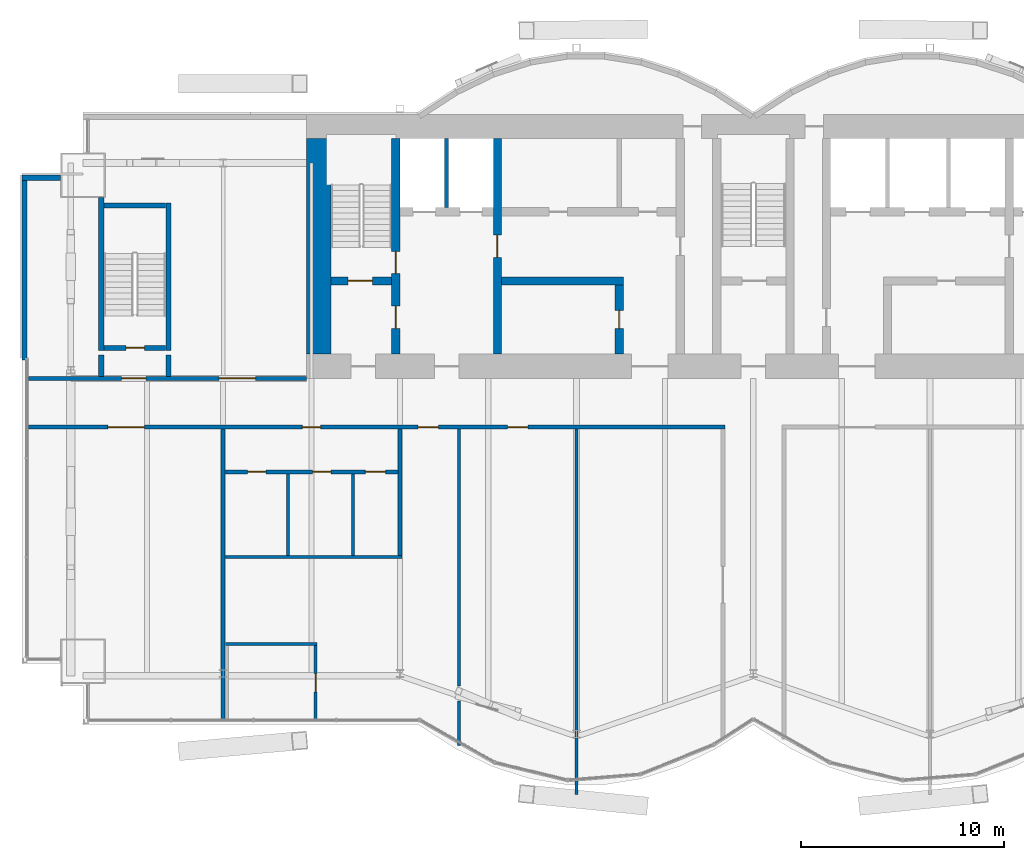
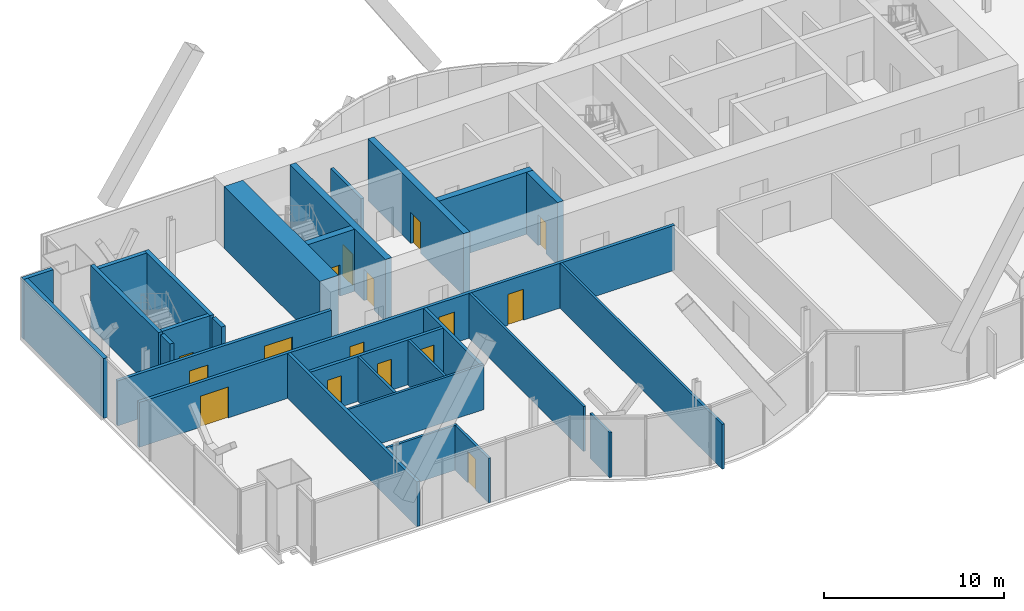
# One storey, part 14 of 20: 28 walls, 16 doors, 16 openings.
"""IFC4 building model written with IfcOpenShell, lengths in metres."""

from ifc_helpers import new_model, si_unit, direction, frame, frame_2d, origin, place, context, subcontext, project, spatial, rectangle, extrude, material, layer, layer_set, layer_usage, type_object, element, fill, save


model = new_model("IFC4")

# Units and contexts
model_context = context("Model", 3, precision=1e-05, world=origin(), true_north=direction((0.0, 1.0)))
body_context = subcontext(model_context, "Body", "Model", "MODEL_VIEW")
ifc_project = project(units=[si_unit("LENGTHUNIT", "METRE"), si_unit("AREAUNIT", "SQUARE_METRE"), si_unit("VOLUMEUNIT", "CUBIC_METRE"), si_unit("PLANEANGLEUNIT", "RADIAN"), si_unit("MASSUNIT", "GRAM", prefix="KILO")], contexts=[model_context])

# Site, building, storey
site_placement = place(None, origin())
site = spatial("IfcSite", under=ifc_project, at=site_placement, CompositionType="ELEMENT")
building_placement = place(site_placement, origin())
building = spatial("IfcBuilding", under=site, at=building_placement, Name="Bicima Exchange Tower", CompositionType="ELEMENT")
storey_placement = place(building_placement, frame((0.0, 0.0, 245.60009765625)))
storey = spatial("IfcBuildingStorey", under=building, at=storey_placement, Name="L55", CompositionType="ELEMENT", Elevation=245.60009765625)

# Wall
ifc_material_1 = material(Name="Gypsum board partition")
ifc_layer_1 = layer(ifc_material_1, 0.199951171875)
ifc_layer_set_1 = layer_set([ifc_layer_1], Name="Gypsum board partition")
wall_type_1 = type_object("IfcWallType", Name="Fire-rated gypsum partition 200 EI120", PredefinedType="PARTITIONING", material=ifc_layer_set_1)
wall_1_placement = place(storey_placement, frame((-15.10009765625, -4.60009765625, 0.0), z_axis=(0.0, 0.0, 1.0), x_axis=(0.0, 1.0, 0.0)))
element("IfcWall", 1, at=wall_1_placement, inside=storey, type_object=wall_type_1, Name="partition wall 9", PredefinedType="PARTITIONING", context=body_context, shape_type="SweptSolid", body=[
    extrude(rectangle(XDim=3.400146484375, YDim=0.199951171875, at=frame_2d((1.7001953125, 0.0))), origin(), (0.0, 0.0, 1.0), 3.039306640625),
])

# Wall, openings, doors
ifc_layer_2 = layer(ifc_material_1, 0.199951171875)
ifc_layer_set_2 = layer_set([ifc_layer_2], Name="Gypsum board partition")
wall_type_2 = type_object("IfcWallType", Name="Fire-rated gypsum partition 200 EI60", PredefinedType="PARTITIONING", material=ifc_layer_set_2)
wall_2_placement = place(storey_placement, frame((-26.0, -17.60009765625, 0.0), z_axis=(0.0, 0.0, 1.0), x_axis=(1.0, 0.0, 0.0)))
wall_2 = element("IfcWall", 2, at=wall_2_placement, inside=storey, type_object=wall_type_2, Name="partition wall 3", PredefinedType="PARTITIONING", context=body_context, shape_type="SweptSolid", body=[
    extrude(rectangle(XDim=8.5, YDim=0.199951171875, at=frame_2d((4.25, 0.0))), origin(), (0.0, 0.0, 1.0), 3.039306640625),
])
opening_1_placement = place(wall_2_placement, frame((1.10009765625, 0.0, 0.0)))
opening_1 = element("IfcOpeningElement", 3, at=opening_1_placement, cuts=wall_2, Name="Opening L55-009", PredefinedType="OPENING", context=body_context, shape_type="SweptSolid", body=[
    extrude(rectangle(XDim=0.89990234375, YDim=2.10009765625, at=frame_2d((0.449951171875, 1.050048828125))), frame((0.0, 0.11181640625, 0.0), z_axis=(0.0, -1.0, 0.0), x_axis=(1.0, 0.0, 0.0)), (0.0, 0.0, 1.0), 0.223876953125),
])
opening_2_placement = place(wall_2_placement, frame((4.300048828125, 0.0, 0.0)))
opening_2 = element("IfcOpeningElement", 4, at=opening_2_placement, cuts=wall_2, Name="Opening L55-010", PredefinedType="OPENING", context=body_context, shape_type="SweptSolid", body=[
    extrude(rectangle(XDim=0.89990234375, YDim=2.10009765625, at=frame_2d((0.449951171875, 1.050048828125))), frame((0.0, 0.11181640625, 0.0), z_axis=(0.0, -1.0, 0.0), x_axis=(1.0, 0.0, 0.0)), (0.0, 0.0, 1.0), 0.223876953125),
])
opening_3_placement = place(wall_2_placement, frame((6.89990234375, 0.0, 0.0)))
opening_3 = element("IfcOpeningElement", 5, at=opening_3_placement, cuts=wall_2, Name="Opening L55-011", PredefinedType="OPENING", context=body_context, shape_type="SweptSolid", body=[
    extrude(rectangle(XDim=1.0, YDim=2.10009765625, at=frame_2d((0.5, 1.050048828125))), frame((0.0, 0.11181640625, 0.0), z_axis=(0.0, -1.0, 0.0), x_axis=(1.0, 0.0, 0.0)), (0.0, 0.0, 1.0), 0.223876953125),
])
ifc_material_2 = material(Name="Steel fire door leaf", Category="steel")
door_type_1 = type_object("IfcDoorType", Name="Door 1000 swing FD30S", OperationType="SINGLE_SWING_LEFT", PredefinedType="DOOR", material=ifc_material_2)
door_1_placement = place(opening_3_placement, frame((1.0, 0.0, 0.0), z_axis=(0.0, 0.0, 1.0), x_axis=(-1.0, 0.0, 0.0)))
door_1 = element("IfcDoor", 6, at=door_1_placement, inside=storey, type_object=door_type_1, Name="Door", OperationType="SINGLE_SWING_RIGHT", OverallHeight=2.10009765625, OverallWidth=1.0, PredefinedType="DOOR", context=body_context, shape_type="SweptSolid", body=[
    extrude(rectangle(XDim=1.0, YDim=2.10009765625, at=frame_2d((0.5, 1.050048828125))), frame((0.0, 0.02490234375, 0.0), z_axis=(0.0, -1.0, 0.0), x_axis=(1.0, 0.0, 0.0)), (0.0, 0.0, 1.0), 0.050048828125),
])
fill(opening_3, door_1)
door_type_2 = type_object("IfcDoorType", Name="Door 900 swing FD30S", OperationType="SINGLE_SWING_LEFT", PredefinedType="DOOR", material=ifc_material_2)
door_2_placement = place(opening_1_placement, frame((0.89990234375, 0.0, 0.0), z_axis=(0.0, 0.0, 1.0), x_axis=(-1.0, 0.0, 0.0)))
door_2 = element("IfcDoor", 7, at=door_2_placement, inside=storey, type_object=door_type_2, Name="Door", OperationType="SINGLE_SWING_RIGHT", OverallHeight=2.10009765625, OverallWidth=0.89990234375, PredefinedType="DOOR", context=body_context, shape_type="SweptSolid", body=[
    extrude(rectangle(XDim=0.89990234375, YDim=2.10009765625, at=frame_2d((0.449951171875, 1.050048828125))), frame((0.0, 0.02490234375, 0.0), z_axis=(0.0, -1.0, 0.0), x_axis=(1.0, 0.0, 0.0)), (0.0, 0.0, 1.0), 0.050048828125),
])
fill(opening_1, door_2)
door_3_placement = place(opening_2_placement, frame((0.89990234375, 0.0, 0.0), z_axis=(0.0, 0.0, 1.0), x_axis=(-1.0, 0.0, 0.0)))
door_3 = element("IfcDoor", 8, at=door_3_placement, inside=storey, type_object=door_type_2, Name="Door", OperationType="SINGLE_SWING_LEFT", OverallHeight=2.10009765625, OverallWidth=0.89990234375, PredefinedType="DOOR", context=body_context, shape_type="SweptSolid", body=[
    extrude(rectangle(XDim=0.89990234375, YDim=2.10009765625, at=frame_2d((0.449951171875, 1.050048828125))), frame((0.0, 0.02490234375, 0.0), z_axis=(0.0, -1.0, 0.0), x_axis=(1.0, 0.0, 0.0)), (0.0, 0.0, 1.0), 0.050048828125),
])
fill(opening_2, door_3)

wall_3_placement = place(storey_placement, frame((-35.679931640625, -15.39990234375, 0.0), z_axis=(0.0, 0.0, 1.0), x_axis=(1.0, 0.0, 0.0)))
wall_3 = element("IfcWall", 9, at=wall_3_placement, inside=storey, type_object=wall_type_2, Name="partition wall 4", PredefinedType="PARTITIONING", context=body_context, shape_type="SweptSolid", body=[
    extrude(rectangle(XDim=34.280029296875, YDim=0.199951171875, at=frame_2d((17.14013671875, 0.0))), origin(), (0.0, 0.0, 1.0), 3.039306640625),
])
opening_4_placement = place(wall_3_placement, frame((3.89990234375, 0.0, 0.0)))
opening_4 = element("IfcOpeningElement", 10, at=opening_4_placement, cuts=wall_3, Name="Opening L55-007", PredefinedType="OPENING", context=body_context, shape_type="SweptSolid", body=[
    extrude(rectangle(XDim=1.800048828125, YDim=2.10009765625, at=frame_2d((0.89990234375, 1.050048828125))), frame((0.0, 0.11181640625, 0.0), z_axis=(0.0, -1.0, 0.0), x_axis=(1.0, 0.0, 0.0)), (0.0, 0.0, 1.0), 0.223876953125),
])
opening_5_placement = place(wall_3_placement, frame((13.47998046875, 0.0, 0.0)))
opening_5 = element("IfcOpeningElement", 11, at=opening_5_placement, cuts=wall_3, Name="Opening L55-008", PredefinedType="OPENING", context=body_context, shape_type="SweptSolid", body=[
    extrude(rectangle(XDim=0.89990234375, YDim=2.10009765625, at=frame_2d((0.449951171875, 1.050048828125))), frame((0.0, 0.11181640625, 0.0), z_axis=(0.0, -1.0, 0.0), x_axis=(1.0, 0.0, 0.0)), (0.0, 0.0, 1.0), 0.223876953125),
])
opening_6_placement = place(wall_3_placement, frame((19.179931640625, 0.0, 0.0)))
opening_6 = element("IfcOpeningElement", 12, at=opening_6_placement, cuts=wall_3, Name="Opening L55-012", PredefinedType="OPENING", context=body_context, shape_type="SweptSolid", body=[
    extrude(rectangle(XDim=1.0, YDim=2.10009765625, at=frame_2d((0.5, 1.050048828125))), frame((0.0, 0.11181640625, 0.0), z_axis=(0.0, -1.0, 0.0), x_axis=(1.0, 0.0, 0.0)), (0.0, 0.0, 1.0), 0.223876953125),
])
opening_7_placement = place(wall_3_placement, frame((23.580078125, 0.0, 0.0)))
opening_7 = element("IfcOpeningElement", 13, at=opening_7_placement, cuts=wall_3, Name="Opening L55-013", PredefinedType="OPENING", context=body_context, shape_type="SweptSolid", body=[
    extrude(rectangle(XDim=1.0, YDim=2.10009765625, at=frame_2d((0.5, 1.050048828125))), frame((0.0, 0.11181640625, 0.0), z_axis=(0.0, -1.0, 0.0), x_axis=(1.0, 0.0, 0.0)), (0.0, 0.0, 1.0), 0.223876953125),
])
door_4_placement = place(opening_6_placement, frame((1.0, 0.0, 0.0), z_axis=(0.0, 0.0, 1.0), x_axis=(-1.0, 0.0, 0.0)))
door_4 = element("IfcDoor", 14, at=door_4_placement, inside=storey, type_object=door_type_1, Name="Door", OperationType="SINGLE_SWING_RIGHT", OverallHeight=2.10009765625, OverallWidth=1.0, PredefinedType="DOOR", context=body_context, shape_type="SweptSolid", body=[
    extrude(rectangle(XDim=1.0, YDim=2.10009765625, at=frame_2d((0.5, 1.050048828125))), frame((0.0, 0.02490234375, 0.0), z_axis=(0.0, -1.0, 0.0), x_axis=(1.0, 0.0, 0.0)), (0.0, 0.0, 1.0), 0.050048828125),
])
fill(opening_6, door_4)
door_5_placement = place(opening_7_placement, frame((1.0, 0.0, 0.0), z_axis=(0.0, 0.0, 1.0), x_axis=(-1.0, 0.0, 0.0)))
door_5 = element("IfcDoor", 15, at=door_5_placement, inside=storey, type_object=door_type_1, Name="Door", OperationType="SINGLE_SWING_LEFT", OverallHeight=2.10009765625, OverallWidth=1.0, PredefinedType="DOOR", context=body_context, shape_type="SweptSolid", body=[
    extrude(rectangle(XDim=1.0, YDim=2.10009765625, at=frame_2d((0.5, 1.050048828125))), frame((0.0, 0.02490234375, 0.0), z_axis=(0.0, -1.0, 0.0), x_axis=(1.0, 0.0, 0.0)), (0.0, 0.0, 1.0), 0.050048828125),
])
fill(opening_7, door_5)
door_type_3 = type_object("IfcDoorType", Name="Door 1800 double swing FD30S", OperationType="DOUBLE_DOOR_SINGLE_SWING", PredefinedType="DOOR", material=ifc_material_2)
door_6_placement = place(opening_4_placement, origin())
door_6 = element("IfcDoor", 16, at=door_6_placement, inside=storey, type_object=door_type_3, Name="Door", OperationType="SINGLE_SWING_LEFT", OverallHeight=2.10009765625, OverallWidth=1.800048828125, PredefinedType="DOOR", context=body_context, shape_type="SweptSolid", body=[
    extrude(rectangle(XDim=1.800048828125, YDim=2.10009765625, at=frame_2d((0.89990234375, 1.050048828125))), frame((0.0, 0.02490234375, 0.0), z_axis=(0.0, -1.0, 0.0), x_axis=(1.0, 0.0, 0.0)), (0.0, 0.0, 1.0), 0.050048828125),
])
fill(opening_4, door_6)
door_7_placement = place(opening_5_placement, frame((0.89990234375, 0.0, 0.0), z_axis=(0.0, 0.0, 1.0), x_axis=(-1.0, 0.0, 0.0)))
door_7 = element("IfcDoor", 17, at=door_7_placement, inside=storey, type_object=door_type_2, Name="Door", OperationType="SINGLE_SWING_RIGHT", OverallHeight=2.10009765625, OverallWidth=0.89990234375, PredefinedType="DOOR", context=body_context, shape_type="SweptSolid", body=[
    extrude(rectangle(XDim=0.89990234375, YDim=2.10009765625, at=frame_2d((0.449951171875, 1.050048828125))), frame((0.0, 0.02490234375, 0.0), z_axis=(0.0, -1.0, 0.0), x_axis=(1.0, 0.0, 0.0)), (0.0, 0.0, 1.0), 0.050048828125),
])
fill(opening_5, door_7)

wall_4_placement = place(storey_placement, frame((-35.679931640625, -13.0, 0.0), z_axis=(0.0, 0.0, 1.0), x_axis=(1.0, 0.0, 0.0)))
wall_4 = element("IfcWall", 18, at=wall_4_placement, inside=storey, type_object=wall_type_2, Name="partition wall 6", PredefinedType="PARTITIONING", context=body_context, shape_type="SweptSolid", body=[
    extrude(rectangle(XDim=13.679931640625, YDim=0.199951171875, at=frame_2d((6.83984375, 0.0))), origin(), (0.0, 0.0, 1.0), 3.039306640625),
])
opening_8_placement = place(wall_4_placement, frame((4.580078125, 0.0, 0.0)))
opening_8 = element("IfcOpeningElement", 19, at=opening_8_placement, cuts=wall_4, Name="Opening L55-001", PredefinedType="OPENING", context=body_context, shape_type="SweptSolid", body=[
    extrude(rectangle(XDim=1.199951171875, YDim=2.10009765625, at=frame_2d((0.60009765625, 1.050048828125))), frame((0.0, 0.11181640625, 0.0), z_axis=(0.0, -1.0, 0.0), x_axis=(1.0, 0.0, 0.0)), (0.0, 0.0, 1.0), 0.223876953125),
])
opening_9_placement = place(wall_4_placement, frame((9.3798828125, 0.0, 0.0)))
opening_9 = element("IfcOpeningElement", 20, at=opening_9_placement, cuts=wall_4, Name="Opening L55-005", PredefinedType="OPENING", context=body_context, shape_type="SweptSolid", body=[
    extrude(rectangle(XDim=1.800048828125, YDim=2.10009765625, at=frame_2d((0.89990234375, 1.050048828125))), frame((0.0, 0.11181640625, 0.0), z_axis=(0.0, -1.0, 0.0), x_axis=(1.0, 0.0, 0.0)), (0.0, 0.0, 1.0), 0.223876953125),
])
door_type_4 = type_object("IfcDoorType", Name="Door 1200 swing FD30S", OperationType="SINGLE_SWING_LEFT", PredefinedType="DOOR", material=ifc_material_2)
door_8_placement = place(opening_8_placement, origin())
door_8 = element("IfcDoor", 21, at=door_8_placement, inside=storey, type_object=door_type_4, Name="Door", OperationType="SINGLE_SWING_LEFT", OverallHeight=2.10009765625, OverallWidth=1.199951171875, PredefinedType="DOOR", context=body_context, shape_type="SweptSolid", body=[
    extrude(rectangle(XDim=1.199951171875, YDim=2.10009765625, at=frame_2d((0.60009765625, 1.050048828125))), frame((0.0, 0.02490234375, 0.0), z_axis=(0.0, -1.0, 0.0), x_axis=(1.0, 0.0, 0.0)), (0.0, 0.0, 1.0), 0.050048828125),
])
fill(opening_8, door_8)
door_9_placement = place(opening_9_placement, origin())
door_9 = element("IfcDoor", 22, at=door_9_placement, inside=storey, type_object=door_type_3, Name="Door", OperationType="SINGLE_SWING_LEFT", OverallHeight=2.10009765625, OverallWidth=1.800048828125, PredefinedType="DOOR", context=body_context, shape_type="SweptSolid", body=[
    extrude(rectangle(XDim=1.800048828125, YDim=2.10009765625, at=frame_2d((0.89990234375, 1.050048828125))), frame((0.0, 0.02490234375, 0.0), z_axis=(0.0, -1.0, 0.0), x_axis=(1.0, 0.0, 0.0)), (0.0, 0.0, 1.0), 0.050048828125),
])
fill(opening_9, door_9)

# Walls
wall_5_placement = place(storey_placement, frame((-26.10009765625, -29.830078125, 0.0), z_axis=(0.0, 0.0, 1.0), x_axis=(0.0, 1.0, 0.0)))
element("IfcWall", 23, at=wall_5_placement, inside=storey, type_object=wall_type_2, Name="partition wall 14", PredefinedType="PARTITIONING", context=body_context, shape_type="SweptSolid", body=[
    extrude(rectangle(XDim=14.330078125, YDim=0.199951171875, at=frame_2d((7.1650390625, 0.0))), origin(), (0.0, 0.0, 1.0), 3.039306640625),
])
wall_6_placement = place(storey_placement, frame((-17.39990234375, -21.72509765625, 0.0), z_axis=(0.0, 0.0, 1.0), x_axis=(0.0, 1.0, 0.0)))
element("IfcWall", 24, at=wall_6_placement, inside=storey, type_object=wall_type_2, Name="partition wall 19", PredefinedType="PARTITIONING", context=body_context, shape_type="SweptSolid", body=[
    extrude(rectangle(XDim=6.22509765625, YDim=0.199951171875, at=frame_2d((3.112548828125, 0.0))), origin(), (0.0, 0.0, 1.0), 3.039306640625),
])
ifc_layer_3 = layer(ifc_material_1, 0.14990234375)
ifc_layer_set_3 = layer_set([ifc_layer_3], Name="Gypsum board partition")
wall_type_3 = type_object("IfcWallType", Name="Gypsum partition 150", PredefinedType="PARTITIONING", material=ifc_layer_set_3)
wall_7_placement = place(storey_placement, frame((-25.97509765625, -26.080078125, 0.0), z_axis=(0.0, 0.0, 1.0), x_axis=(1.0, 0.0, 0.0)))
element("IfcWall", 25, at=wall_7_placement, inside=storey, type_object=wall_type_3, Name="partition wall 1", PredefinedType="PARTITIONING", context=body_context, shape_type="SweptSolid", body=[
    extrude(rectangle(XDim=4.5, YDim=0.14990234375, at=frame_2d((2.25, 0.0))), origin(), (0.0, 0.0, 1.0), 3.039306640625),
])
wall_8_placement = place(storey_placement, frame((-26.0, -21.800048828125, 0.0), z_axis=(0.0, 0.0, 1.0), x_axis=(1.0, 0.0, 0.0)))
element("IfcWall", 26, at=wall_8_placement, inside=storey, type_object=wall_type_3, Name="partition wall 2", PredefinedType="PARTITIONING", context=body_context, shape_type="SweptSolid", body=[
    extrude(rectangle(XDim=8.699951171875, YDim=0.14990234375, at=frame_2d((4.35009765625, 0.0))), origin(), (0.0, 0.0, 1.0), 3.039306640625),
])
wall_9_placement = place(storey_placement, frame((-22.89990234375, -21.72509765625, 0.0), z_axis=(0.0, 0.0, 1.0), x_axis=(0.0, 1.0, 0.0)))
element("IfcWall", 27, at=wall_9_placement, inside=storey, type_object=wall_type_3, Name="partition wall 16", PredefinedType="PARTITIONING", context=body_context, shape_type="SweptSolid", body=[
    extrude(rectangle(XDim=4.025146484375, YDim=0.14990234375, at=frame_2d((2.0126953125, 0.0))), origin(), (0.0, 0.0, 1.0), 3.039306640625),
])

# Wall, opening, door
wall_10_placement = place(storey_placement, frame((-21.550048828125, -29.830078125, 0.0), z_axis=(0.0, 0.0, 1.0), x_axis=(0.0, 1.0, 0.0)))
wall_10 = element("IfcWall", 28, at=wall_10_placement, inside=storey, type_object=wall_type_3, Name="partition wall 17", PredefinedType="PARTITIONING", context=body_context, shape_type="SweptSolid", body=[
    extrude(rectangle(XDim=3.675048828125, YDim=0.14990234375, at=frame_2d((1.83740234375, 0.0))), origin(), (0.0, 0.0, 1.0), 3.039306640625),
])
opening_10_placement = place(wall_10_placement, frame((1.39990234375, 0.0, 0.0)))
opening_10 = element("IfcOpeningElement", 29, at=opening_10_placement, cuts=wall_10, Name="Opening L55-018", PredefinedType="OPENING", context=body_context, shape_type="SweptSolid", body=[
    extrude(rectangle(XDim=0.89990234375, YDim=2.10009765625, at=frame_2d((0.449951171875, 1.050048828125))), frame((0.0, 0.0869140625, 0.0), z_axis=(0.0, -1.0, 0.0), x_axis=(1.0, 0.0, 0.0)), (0.0, 0.0, 1.0), 0.173828125),
])
ifc_material_3 = material(Name="Timber door leaf", Category="wood")
door_type_5 = type_object("IfcDoorType", Name="Door 900 swing", OperationType="SINGLE_SWING_LEFT", PredefinedType="DOOR", material=ifc_material_3)
door_10_placement = place(opening_10_placement, origin())
door_10 = element("IfcDoor", 30, at=door_10_placement, inside=storey, type_object=door_type_5, Name="Door", OperationType="SINGLE_SWING_RIGHT", OverallHeight=2.10009765625, OverallWidth=0.89990234375, PredefinedType="DOOR", context=body_context, shape_type="SweptSolid", body=[
    extrude(rectangle(XDim=0.89990234375, YDim=2.10009765625, at=frame_2d((0.449951171875, 1.050048828125))), frame((0.0, 0.02490234375, 0.0), z_axis=(0.0, -1.0, 0.0), x_axis=(1.0, 0.0, 0.0)), (0.0, 0.0, 1.0), 0.050048828125),
])
fill(opening_10, door_10)

# Walls
wall_11_placement = place(storey_placement, frame((-19.699951171875, -21.72509765625, 0.0), z_axis=(0.0, 0.0, 1.0), x_axis=(0.0, 1.0, 0.0)))
element("IfcWall", 31, at=wall_11_placement, inside=storey, type_object=wall_type_3, Name="partition wall 18", PredefinedType="PARTITIONING", context=body_context, shape_type="SweptSolid", body=[
    extrude(rectangle(XDim=4.025146484375, YDim=0.14990234375, at=frame_2d((2.0126953125, 0.0))), origin(), (0.0, 0.0, 1.0), 3.039306640625),
])
wall_12_placement = place(storey_placement, frame((-14.5, -31.080078125, 0.0), z_axis=(0.0, 0.0, 1.0), x_axis=(0.0, 1.0, 0.0)))
element("IfcWall", 32, at=wall_12_placement, inside=storey, type_object=wall_type_3, Name="partition wall 20", PredefinedType="PARTITIONING", context=body_context, shape_type="SweptSolid", body=[
    extrude(rectangle(XDim=2.203125, YDim=0.14990234375, at=frame_2d((1.1015625, 0.0))), origin(), (0.0, 0.0, 1.0), 3.039306640625),
])
wall_13_placement = place(storey_placement, frame((-14.5, -28.151123046875, 0.0), z_axis=(0.0, 0.0, 1.0), x_axis=(0.0, 1.0, 0.0)))
element("IfcWall", 33, at=wall_13_placement, inside=storey, type_object=wall_type_3, Name="partition wall 21", PredefinedType="PARTITIONING", context=body_context, shape_type="SweptSolid", body=[
    extrude(rectangle(XDim=12.651123046875, YDim=0.14990234375, at=frame_2d((6.32568359375, 0.0))), origin(), (0.0, 0.0, 1.0), 3.039306640625),
])
wall_14_placement = place(storey_placement, frame((-8.699951171875, -33.483154296875, 0.0), z_axis=(0.0, 0.0, 1.0), x_axis=(0.0, 1.0, 0.0)))
element("IfcWall", 34, at=wall_14_placement, inside=storey, type_object=wall_type_3, Name="partition wall 22", PredefinedType="PARTITIONING", context=body_context, shape_type="SweptSolid", body=[
    extrude(rectangle(XDim=17.983154296875, YDim=0.14990234375, at=frame_2d((8.99169921875, 0.0))), origin(), (0.0, 0.0, 1.0), 3.039306640625),
])
ifc_material_4 = material(Name="Concrete C40/50", Category="concrete")
ifc_layer_4 = layer(ifc_material_4, 1.199951171875)
ifc_layer_set_4 = layer_set([ifc_layer_4], Name="Concrete C40/50")
wall_type_4 = type_object("IfcWallType", Name="RC core wall 1200 C40/50", PredefinedType="SHEAR", material=ifc_layer_set_4)
wall_15_placement = place(storey_placement, frame((-21.39990234375, -11.800048828125, 0.0), z_axis=(0.0, 0.0, 1.0), x_axis=(0.0, 1.0, 0.0)))
element("IfcWall", 35, at=wall_15_placement, inside=storey, type_object=wall_type_4, Name="Core wall west", PredefinedType="SHEAR", context=body_context, shape_type="SweptSolid", body=[
    extrude(rectangle(XDim=10.60009765625, YDim=1.199951171875, at=frame_2d((5.300048828125, 0.0))), origin(), (0.0, 0.0, 1.0), 4.199951171875),
])
ifc_material_5 = material(Name="Concrete C50/60", Category="concrete")
ifc_layer_5 = layer(ifc_material_5, 0.25)
ifc_layer_set_5 = layer_set([ifc_layer_5], Name="Concrete C50/60")
wall_type_5 = type_object("IfcWallType", Name="RC core wall 250 C50/60", PredefinedType="SHEAR", material=ifc_layer_set_5)
for number, where, z_axis, x_axis, name in (
    (36, (-32.10009765625, -12.89990234375, 0.0), (0.0, 0.0, 1.0), (0.0, 1.0, 0.0), "stair wall 12"),
    (37, (-28.800048828125, -12.89990234375, 0.0), (0.0, 0.0, 1.0), (0.0, 1.0, 0.0), "stair wall 13"),
):
    element("IfcWall", number, at=place(storey_placement, frame(where, z_axis=z_axis, x_axis=x_axis)), inside=storey, type_object=wall_type_5, Name=name, PredefinedType="SHEAR", context=body_context, shape_type="SweptSolid", body=[
        extrude(rectangle(XDim=1.0498046875, YDim=0.25, at=frame_2d((0.52490234375, 0.0))), origin(), (0.0, 0.0, 1.0), 4.199951171875),
    ])
ifc_layer_6 = layer(ifc_material_4, 0.39990234375)
ifc_layer_set_6 = layer_set([ifc_layer_6], Name="Concrete C40/50")
wall_type_6 = type_object("IfcWallType", Name="RC core wall 400 C40/50", PredefinedType="SHEAR", material=ifc_layer_set_6)
wall_16_placement = place(storey_placement, frame((-12.39990234375, -8.199951171875, 0.0), z_axis=(0.0, 0.0, 1.0), x_axis=(1.0, 0.0, 0.0)))
element("IfcWall", 38, at=wall_16_placement, inside=storey, type_object=wall_type_6, Name="shear wall 2", PredefinedType="SHEAR", context=body_context, shape_type="SweptSolid", body=[
    extrude(rectangle(XDim=6.0, YDim=0.39990234375, at=frame_2d((3.0, 0.0))), origin(), (0.0, 0.0, 1.0), 4.199951171875),
])

# Wall, opening, door
wall_17_placement = place(storey_placement, frame((-12.60009765625, -11.800048828125, 0.0), z_axis=(0.0, 0.0, 1.0), x_axis=(0.0, 1.0, 0.0)))
wall_17 = element("IfcWall", 39, at=wall_17_placement, inside=storey, type_object=wall_type_6, Name="shear wall 10", PredefinedType="SHEAR", context=body_context, shape_type="SweptSolid", body=[
    extrude(rectangle(XDim=10.60009765625, YDim=0.39990234375, at=frame_2d((5.300048828125, 0.0))), origin(), (0.0, 0.0, 1.0), 4.199951171875),
])
opening_11_placement = place(wall_17_placement, frame((4.75, 0.0, 0.0)))
opening_11 = element("IfcOpeningElement", 40, at=opening_11_placement, cuts=wall_17, Name="Opening L55-C07", PredefinedType="OPENING", context=body_context, shape_type="SweptSolid", body=[
    extrude(rectangle(XDim=1.10009765625, YDim=2.10009765625, at=frame_2d((0.550048828125, 1.050048828125))), frame((0.0, 0.2119140625, 0.0), z_axis=(0.0, -1.0, 0.0), x_axis=(1.0, 0.0, 0.0)), (0.0, 0.0, 1.0), 0.423828125),
])
door_type_6 = type_object("IfcDoorType", Name="Door 1100 swing FD60S", OperationType="SINGLE_SWING_LEFT", PredefinedType="DOOR", material=ifc_material_2)
door_11_placement = place(opening_11_placement, origin())
door_11 = element("IfcDoor", 41, at=door_11_placement, inside=storey, type_object=door_type_6, Name="Core door", OperationType="SINGLE_SWING_LEFT", OverallHeight=2.10009765625, OverallWidth=1.10009765625, PredefinedType="DOOR", context=body_context, shape_type="SweptSolid", body=[
    extrude(rectangle(XDim=1.10009765625, YDim=2.10009765625, at=frame_2d((0.550048828125, 1.050048828125))), frame((0.0, 0.02490234375, 0.0), z_axis=(0.0, -1.0, 0.0), x_axis=(1.0, 0.0, 0.0)), (0.0, 0.0, 1.0), 0.050048828125),
])
fill(opening_11, door_11)

wall_18_placement = place(storey_placement, frame((-6.60009765625, -11.800048828125, 0.0), z_axis=(0.0, 0.0, 1.0), x_axis=(0.0, 1.0, 0.0)))
wall_18 = element("IfcWall", 42, at=wall_18_placement, inside=storey, type_object=wall_type_6, Name="shear wall 11", PredefinedType="SHEAR", context=body_context, shape_type="SweptSolid", body=[
    extrude(rectangle(XDim=3.400146484375, YDim=0.39990234375, at=frame_2d((1.7001953125, 0.0))), origin(), (0.0, 0.0, 1.0), 4.199951171875),
])
opening_12_placement = place(wall_18_placement, frame((1.25, 0.0, 0.0)))
opening_12 = element("IfcOpeningElement", 43, at=opening_12_placement, cuts=wall_18, Name="Opening L55-C14", PredefinedType="OPENING", context=body_context, shape_type="SweptSolid", body=[
    extrude(rectangle(XDim=0.89990234375, YDim=2.10009765625, at=frame_2d((0.449951171875, 1.050048828125))), frame((0.0, 0.2119140625, 0.0), z_axis=(0.0, -1.0, 0.0), x_axis=(1.0, 0.0, 0.0)), (0.0, 0.0, 1.0), 0.423828125),
])
door_12_placement = place(opening_12_placement, origin())
door_12 = element("IfcDoor", 44, at=door_12_placement, inside=storey, type_object=door_type_2, Name="Core door", OperationType="SINGLE_SWING_RIGHT", OverallHeight=2.10009765625, OverallWidth=0.89990234375, PredefinedType="DOOR", context=body_context, shape_type="SweptSolid", body=[
    extrude(rectangle(XDim=0.89990234375, YDim=2.10009765625, at=frame_2d((0.449951171875, 1.050048828125))), frame((0.0, 0.02490234375, 0.0), z_axis=(0.0, -1.0, 0.0), x_axis=(1.0, 0.0, 0.0)), (0.0, 0.0, 1.0), 0.050048828125),
])
fill(opening_12, door_12)

ifc_layer_7 = layer(ifc_material_5, 0.39990234375)
ifc_layer_set_7 = layer_set([ifc_layer_7], Name="Concrete C50/60")
wall_type_7 = type_object("IfcWallType", Name="RC core wall 400 C50/60", PredefinedType="SHEAR", material=ifc_layer_set_7)
wall_19_placement = place(storey_placement, frame((-20.800048828125, -8.199951171875, 0.0), z_axis=(0.0, 0.0, 1.0), x_axis=(1.0, 0.0, 0.0)))
wall_19 = element("IfcWall", 45, at=wall_19_placement, inside=storey, type_object=wall_type_7, Name="stair wall 1", PredefinedType="SHEAR", context=body_context, shape_type="SweptSolid", body=[
    extrude(rectangle(XDim=3.0, YDim=0.39990234375, at=frame_2d((1.5, 0.0))), origin(), (0.0, 0.0, 1.0), 4.199951171875),
])
opening_13_placement = place(wall_19_placement, frame((0.85009765625, 0.0, 0.0)))
opening_13 = element("IfcOpeningElement", 46, at=opening_13_placement, cuts=wall_19, Name="Opening L55-C01", PredefinedType="OPENING", context=body_context, shape_type="SweptSolid", body=[
    extrude(rectangle(XDim=1.199951171875, YDim=2.10009765625, at=frame_2d((0.60009765625, 1.050048828125))), frame((0.0, 0.2119140625, 0.0), z_axis=(0.0, -1.0, 0.0), x_axis=(1.0, 0.0, 0.0)), (0.0, 0.0, 1.0), 0.423828125),
])
door_type_7 = type_object("IfcDoorType", Name="Door 1200 swing FD60S", OperationType="SINGLE_SWING_LEFT", PredefinedType="DOOR", material=ifc_material_2)
door_13_placement = place(opening_13_placement, origin())
door_13 = element("IfcDoor", 47, at=door_13_placement, inside=storey, type_object=door_type_7, Name="Core door", OperationType="SINGLE_SWING_LEFT", OverallHeight=2.10009765625, OverallWidth=1.199951171875, PredefinedType="DOOR", context=body_context, shape_type="SweptSolid", body=[
    extrude(rectangle(XDim=1.199951171875, YDim=2.10009765625, at=frame_2d((0.60009765625, 1.050048828125))), frame((0.0, 0.02490234375, 0.0), z_axis=(0.0, -1.0, 0.0), x_axis=(1.0, 0.0, 0.0)), (0.0, 0.0, 1.0), 0.050048828125),
])
fill(opening_13, door_13)

# Wall, openings, doors
wall_20_placement = place(storey_placement, frame((-17.60009765625, -11.800048828125, 0.0), z_axis=(0.0, 0.0, 1.0), x_axis=(0.0, 1.0, 0.0)))
wall_20 = element("IfcWall", 48, at=wall_20_placement, inside=storey, type_object=wall_type_7, Name="stair wall 8", PredefinedType="SHEAR", context=body_context, shape_type="SweptSolid", body=[
    extrude(rectangle(XDim=10.60009765625, YDim=0.39990234375, at=frame_2d((5.300048828125, 0.0))), origin(), (0.0, 0.0, 1.0), 4.199951171875),
])
opening_14_placement = place(wall_20_placement, frame((1.25, 0.0, 0.0)))
opening_14 = element("IfcOpeningElement", 49, at=opening_14_placement, cuts=wall_20, Name="Opening L55-C02", PredefinedType="OPENING", context=body_context, shape_type="SweptSolid", body=[
    extrude(rectangle(XDim=1.10009765625, YDim=2.10009765625, at=frame_2d((0.550048828125, 1.050048828125))), frame((0.0, 0.2119140625, 0.0), z_axis=(0.0, -1.0, 0.0), x_axis=(1.0, 0.0, 0.0)), (0.0, 0.0, 1.0), 0.423828125),
])
opening_15_placement = place(wall_20_placement, frame((3.949951171875, 0.0, 0.0)))
opening_15 = element("IfcOpeningElement", 50, at=opening_15_placement, cuts=wall_20, Name="Opening L55-C06", PredefinedType="OPENING", context=body_context, shape_type="SweptSolid", body=[
    extrude(rectangle(XDim=1.10009765625, YDim=2.10009765625, at=frame_2d((0.550048828125, 1.050048828125))), frame((0.0, 0.2119140625, 0.0), z_axis=(0.0, -1.0, 0.0), x_axis=(1.0, 0.0, 0.0)), (0.0, 0.0, 1.0), 0.423828125),
])
door_14_placement = place(opening_14_placement, frame((1.10009765625, 0.0, 0.0), z_axis=(0.0, 0.0, 1.0), x_axis=(-1.0, 0.0, 0.0)))
door_14 = element("IfcDoor", 51, at=door_14_placement, inside=storey, type_object=door_type_6, Name="Core door", OperationType="SINGLE_SWING_LEFT", OverallHeight=2.10009765625, OverallWidth=1.10009765625, PredefinedType="DOOR", context=body_context, shape_type="SweptSolid", body=[
    extrude(rectangle(XDim=1.10009765625, YDim=2.10009765625, at=frame_2d((0.550048828125, 1.050048828125))), frame((0.0, 0.02490234375, 0.0), z_axis=(0.0, -1.0, 0.0), x_axis=(1.0, 0.0, 0.0)), (0.0, 0.0, 1.0), 0.050048828125),
])
fill(opening_14, door_14)
door_15_placement = place(opening_15_placement, frame((1.10009765625, 0.0, 0.0), z_axis=(0.0, 0.0, 1.0), x_axis=(-1.0, 0.0, 0.0)))
door_15 = element("IfcDoor", 52, at=door_15_placement, inside=storey, type_object=door_type_6, Name="Core door", OperationType="SINGLE_SWING_LEFT", OverallHeight=2.10009765625, OverallWidth=1.10009765625, PredefinedType="DOOR", context=body_context, shape_type="SweptSolid", body=[
    extrude(rectangle(XDim=1.10009765625, YDim=2.10009765625, at=frame_2d((0.550048828125, 1.050048828125))), frame((0.0, 0.02490234375, 0.0), z_axis=(0.0, -1.0, 0.0), x_axis=(1.0, 0.0, 0.0)), (0.0, 0.0, 1.0), 0.050048828125),
])
fill(opening_15, door_15)

# Walls
ifc_layer_8 = layer(ifc_material_5, 0.25)
ifc_layer_set_8 = layer_set([ifc_layer_8], Name="Concrete C50/60")
wall_type_8 = type_object("IfcWallType", Name="RC stair enclosure wall 250 C50/60", PredefinedType="SHEAR", material=ifc_layer_set_8)
wall_21_placement = place(storey_placement, frame((-32.10009765625, -11.625, 0.0), z_axis=(0.0, 0.0, 1.0), x_axis=(0.0, 1.0, 0.0)))
element("IfcWall", 53, at=wall_21_placement, inside=storey, type_object=wall_type_8, Name="West end exit stair wall W", PredefinedType="SHEAR", context=body_context, shape_type="SweptSolid", body=[
    extrude(rectangle(XDim=7.52490234375, YDim=0.25, at=frame_2d((3.762451171875, 0.0))), origin(), (0.0, 0.0, 1.0), 4.199951171875),
])
wall_22_placement = place(storey_placement, frame((-28.800048828125, -11.625, 0.0), z_axis=(0.0, 0.0, 1.0), x_axis=(0.0, 1.0, 0.0)))
element("IfcWall", 54, at=wall_22_placement, inside=storey, type_object=wall_type_8, Name="West end exit stair wall E", PredefinedType="SHEAR", context=body_context, shape_type="SweptSolid", body=[
    extrude(rectangle(XDim=7.25, YDim=0.25, at=frame_2d((3.625, 0.0))), origin(), (0.0, 0.0, 1.0), 4.199951171875),
])

# Wall, opening, door
wall_23_placement = place(storey_placement, frame((-31.97509765625, -11.5, 0.0), z_axis=(0.0, 0.0, 1.0), x_axis=(1.0, 0.0, 0.0)))
wall_23 = element("IfcWall", 55, at=wall_23_placement, inside=storey, type_object=wall_type_8, Name="West end exit stair wall S", PredefinedType="SHEAR", context=body_context, shape_type="SweptSolid", body=[
    extrude(rectangle(XDim=3.050048828125, YDim=0.25, at=frame_2d((1.52490234375, 0.0))), origin(), (0.0, 0.0, 1.0), 4.199951171875),
])
opening_16_placement = place(wall_23_placement, frame((1.10009765625, 0.0, 0.0)))
opening_16 = element("IfcOpeningElement", 56, at=opening_16_placement, cuts=wall_23, Name="Opening L55-002", PredefinedType="OPENING", context=body_context, shape_type="SweptSolid", body=[
    extrude(rectangle(XDim=0.89990234375, YDim=2.10009765625, at=frame_2d((0.449951171875, 1.050048828125))), frame((0.0, 0.136962890625, 0.0), z_axis=(0.0, -1.0, 0.0), x_axis=(1.0, 0.0, 0.0)), (0.0, 0.0, 1.0), 0.27392578125),
])
door_type_8 = type_object("IfcDoorType", Name="Door 900 swing FD60S", OperationType="SINGLE_SWING_LEFT", PredefinedType="DOOR", material=ifc_material_2)
door_16_placement = place(opening_16_placement, origin())
door_16 = element("IfcDoor", 57, at=door_16_placement, inside=storey, type_object=door_type_8, Name="Door", OperationType="SINGLE_SWING_LEFT", OverallHeight=2.10009765625, OverallWidth=0.89990234375, PredefinedType="DOOR", context=body_context, shape_type="SweptSolid", body=[
    extrude(rectangle(XDim=0.89990234375, YDim=2.10009765625, at=frame_2d((0.449951171875, 1.050048828125))), frame((0.0, 0.02490234375, 0.0), z_axis=(0.0, -1.0, 0.0), x_axis=(1.0, 0.0, 0.0)), (0.0, 0.0, 1.0), 0.050048828125),
])
fill(opening_16, door_16)

# Walls
wall_24_placement = place(storey_placement, frame((-31.97509765625, -4.5, 0.0), z_axis=(0.0, 0.0, 1.0), x_axis=(1.0, 0.0, 0.0)))
element("IfcWall", 58, at=wall_24_placement, inside=storey, type_object=wall_type_8, Name="West end exit stair wall N", PredefinedType="SHEAR", context=body_context, shape_type="SweptSolid", body=[
    extrude(rectangle(XDim=3.050048828125, YDim=0.25, at=frame_2d((1.52490234375, 0.0))), origin(), (0.0, 0.0, 1.0), 4.199951171875),
])
ifc_layer_9 = layer(ifc_material_4, 0.25)
ifc_layer_set_9 = layer_set([ifc_layer_9], Name="Concrete C40/50")
ifc_layer_usage = layer_usage(ifc_layer_set_9, "AXIS2", "POSITIVE", -0.125)
wall_type_9 = type_object("IfcWallType", Name="Rear backup wall 250", PredefinedType="STANDARD", material=ifc_layer_set_9)
wall_25_placement = place(storey_placement, frame((-34.10009765625, -3.125, 0.0), z_axis=(0.0, 0.0, 1.0), x_axis=(-1.0, 0.0, 0.0)))
element("IfcWall", 59, at=wall_25_placement, inside=storey, type_object=wall_type_9, material=ifc_layer_usage, Name="Rear backup wall L55 22", PredefinedType="STANDARD", context=body_context, shape_type="SweptSolid", body=[
    extrude(rectangle(XDim=1.89990234375, YDim=0.25, at=frame_2d((0.949951171875, 0.0))), origin(), (0.0, 0.0, 1.0), 4.0498046875),
])
wall_26_placement = place(storey_placement, frame((-35.875, -3.0, 0.0), z_axis=(0.0, 0.0, 1.0), x_axis=(0.0, -1.0, 0.0)))
element("IfcWall", 60, at=wall_26_placement, inside=storey, type_object=wall_type_9, material=ifc_layer_usage, Name="Rear backup wall L55 23", PredefinedType="STANDARD", context=body_context, shape_type="SweptSolid", body=[
    extrude(rectangle(XDim=9.090087890625, YDim=0.25, at=frame_2d((4.544921875, 0.0))), origin(), (0.0, 0.0, 1.0), 4.0498046875),
])

save(model, "model.ifc")
